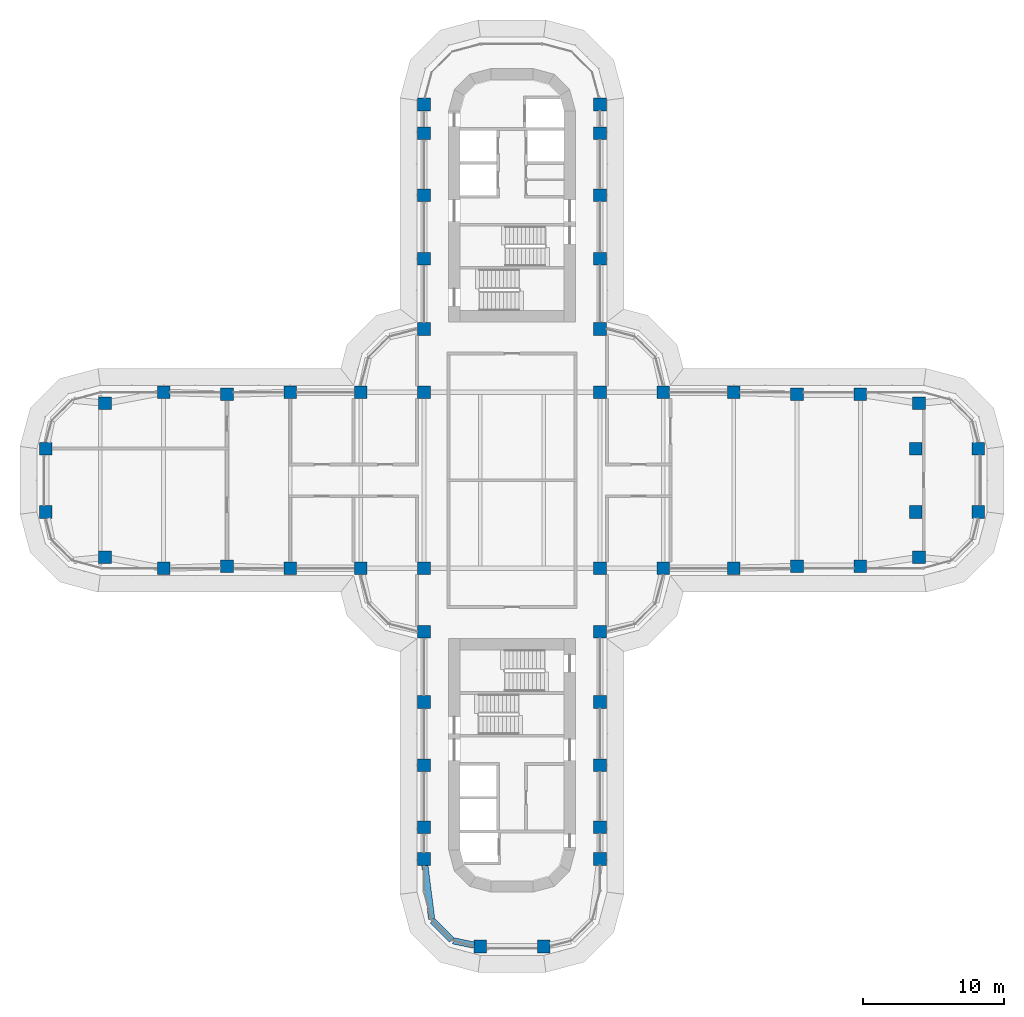
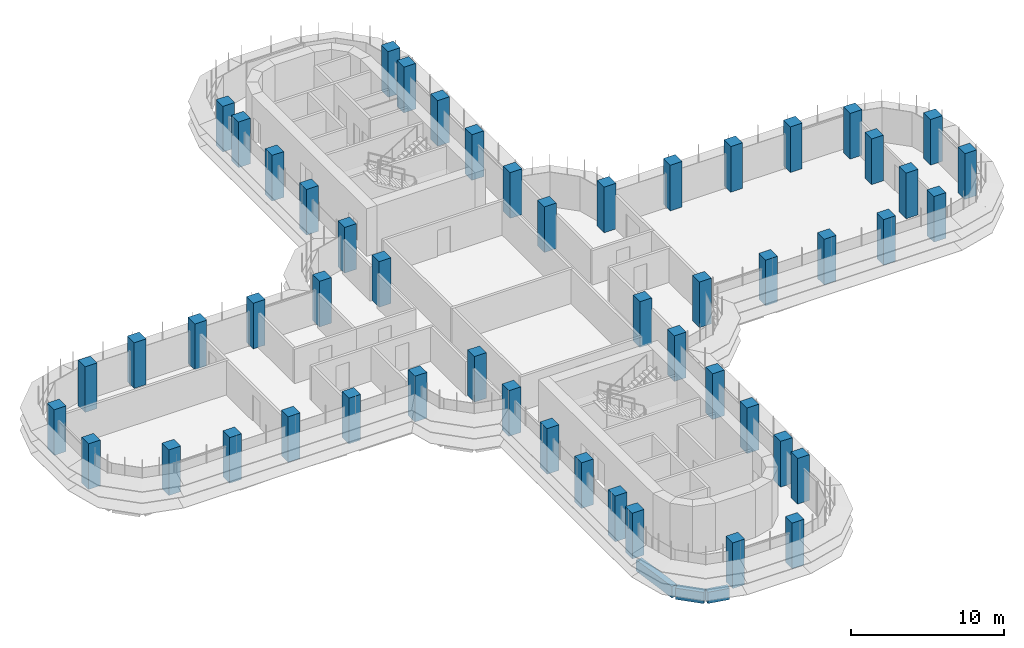
# One storey, part 1 of 21: 52 columns, 3 beams.
"""IFC4 building model written with IfcOpenShell, lengths in metres."""

from ifc_helpers import new_model, si_unit, direction, frame, origin, origin_2d, place, context, subcontext, project, spatial, rectangle, extrude, material, material_profile, profile_set, type_object, element, save


model = new_model("IFC4")

# Units and contexts
model_context = context("Model", 3, precision=1e-05, world=origin(), true_north=direction((0.0, 1.0)))
body_context = subcontext(model_context, "Body", "Model", "MODEL_VIEW")
ifc_project = project(units=[si_unit("LENGTHUNIT", "METRE"), si_unit("AREAUNIT", "SQUARE_METRE"), si_unit("VOLUMEUNIT", "CUBIC_METRE"), si_unit("PLANEANGLEUNIT", "RADIAN"), si_unit("MASSUNIT", "GRAM", prefix="KILO")], contexts=[model_context])

# Site, building, storey
site_placement = place(None, origin())
site = spatial("IfcSite", under=ifc_project, at=site_placement, CompositionType="ELEMENT")
building_placement = place(site_placement, origin())
building = spatial("IfcBuilding", under=site, at=building_placement, Name="Zarbagh Exchange Tower", CompositionType="ELEMENT")
storey_placement = place(building_placement, frame((0.0, 0.0, 117.0)))
storey = spatial("IfcBuildingStorey", under=building, at=storey_placement, Name="L27", CompositionType="ELEMENT", Elevation=117.0)

# Columns
ifc_material = material(Name="Concrete C60/75", Category="concrete")
ifc_material_profile_1 = material_profile(ifc_material, rectangle(XDim=0.89990234375, YDim=0.89990234375, at=origin_2d()), Name="RC column 900 x 900 C60/75")
ifc_profile_set_1 = profile_set([ifc_material_profile_1], Name="Concrete C60/75")
column_type = type_object("IfcColumnType", Name="RC column 900 x 900 C60/75", PredefinedType="COLUMN", material=ifc_profile_set_1)
for number, where, z_axis, x_axis, name in (
    (1, (-33.110107421875, -2.25, 0.0), (0.0, 0.0, 1.0), (1.0, 0.0, 0.0), "C3 10/S"),
    (2, (-33.110107421875, 2.25, 0.0), (0.0, 0.0, 1.0), (1.0, 0.0, 0.0), "C3 10/T"),
    (3, (-28.907958984375, -5.47509765625, 0.0), (0.0, 0.0, 1.0), (1.0, 0.0, 0.0), "C3 11/R"),
    (4, (-28.907958984375, 5.47509765625, 0.0), (0.0, 0.0, 1.0), (1.0, 0.0, 0.0), "C3 11/U"),
    (5, (-24.75, -6.25, 0.0), (0.0, 0.0, 1.0), (1.0, 0.0, 0.0), "C3 12/R"),
    (6, (-24.75, 6.25, 0.0), (0.0, 0.0, 1.0), (1.0, 0.0, 0.0), "C3 12/U"),
    (7, (-20.25, -6.110107421875, 0.0), (0.0, 0.0, 1.0), (1.0, 0.0, 0.0), "C3 13/R"),
    (8, (-20.25, 6.110107421875, 0.0), (0.0, 0.0, 1.0), (1.0, 0.0, 0.0), "C3 13/U"),
    (9, (-15.75, -6.25, 0.0), (0.0, 0.0, 1.0), (1.0, 0.0, 0.0), "C3 14/R"),
    (10, (-15.75, 6.25, 0.0), (0.0, 0.0, 1.0), (1.0, 0.0, 0.0), "C3 14/U"),
    (11, (-10.75, -6.25, 0.0), (0.0, 0.0, 1.0), (1.0, 0.0, 0.0), "C3 15/R"),
    (12, (-10.75, 6.25, 0.0), (0.0, 0.0, 1.0), (1.0, 0.0, 0.0), "C3 15/U"),
    (13, (-6.25, -26.89990234375, 0.0), (0.0, 0.0, 1.0), (1.0, 0.0, 0.0), "C3 16/L"),
    (14, (-6.25, -24.64990234375, 0.0), (0.0, 0.0, 1.0), (1.0, 0.0, 0.0), "C3 16/M"),
    (15, (-6.25, -20.25, 0.0), (0.0, 0.0, 1.0), (1.0, 0.0, 0.0), "C3 16/N"),
    (16, (-6.25, -15.75, 0.0), (0.0, 0.0, 1.0), (1.0, 0.0, 0.0), "C3 16/P"),
    (17, (-6.25, -10.75, 0.0), (0.0, 0.0, 1.0), (1.0, 0.0, 0.0), "C3 16/Q"),
    (18, (-6.25, -6.25, 0.0), (0.0, 0.0, 1.0), (1.0, 0.0, 0.0), "C3 16/R"),
    (19, (-6.25, 6.25, 0.0), (0.0, 0.0, 1.0), (1.0, 0.0, 0.0), "C3 16/U"),
    (20, (-6.25, 10.75, 0.0), (0.0, 0.0, 1.0), (1.0, 0.0, 0.0), "C3 16/V"),
    (21, (-6.25, 15.75, 0.0), (0.0, 0.0, 1.0), (1.0, 0.0, 0.0), "C3 16/W"),
    (22, (-6.25, 20.25, 0.0), (0.0, 0.0, 1.0), (1.0, 0.0, 0.0), "C3 16/X"),
    (23, (-6.25, 24.64990234375, 0.0), (0.0, 0.0, 1.0), (1.0, 0.0, 0.0), "C3 16/Y"),
    (24, (-6.25, 26.699951171875, 0.0), (0.0, 0.0, 1.0), (1.0, 0.0, 0.0), "C3 16/Z"),
    (25, (-2.25, -33.110107421875, 0.0), (0.0, 0.0, 1.0), (1.0, 0.0, 0.0), "C3 17/K"),
    (26, (2.25, -33.110107421875, 0.0), (0.0, 0.0, 1.0), (1.0, 0.0, 0.0), "C3 18/K"),
    (27, (6.25, -26.89990234375, 0.0), (0.0, 0.0, 1.0), (1.0, 0.0, 0.0), "C3 19/L"),
    (28, (6.25, -24.64990234375, 0.0), (0.0, 0.0, 1.0), (1.0, 0.0, 0.0), "C3 19/M"),
    (29, (6.25, -20.25, 0.0), (0.0, 0.0, 1.0), (1.0, 0.0, 0.0), "C3 19/N"),
    (30, (6.25, -15.75, 0.0), (0.0, 0.0, 1.0), (1.0, 0.0, 0.0), "C3 19/P"),
    (31, (6.25, -10.75, 0.0), (0.0, 0.0, 1.0), (1.0, 0.0, 0.0), "C3 19/Q"),
    (32, (6.25, -6.25, 0.0), (0.0, 0.0, 1.0), (1.0, 0.0, 0.0), "C3 19/R"),
    (33, (6.25, 6.25, 0.0), (0.0, 0.0, 1.0), (1.0, 0.0, 0.0), "C3 19/U"),
    (34, (6.25, 10.75, 0.0), (0.0, 0.0, 1.0), (1.0, 0.0, 0.0), "C3 19/V"),
    (35, (6.25, 15.75, 0.0), (0.0, 0.0, 1.0), (1.0, 0.0, 0.0), "C3 19/W"),
    (36, (6.25, 20.25, 0.0), (0.0, 0.0, 1.0), (1.0, 0.0, 0.0), "C3 19/X"),
    (37, (6.25, 24.64990234375, 0.0), (0.0, 0.0, 1.0), (1.0, 0.0, 0.0), "C3 19/Y"),
    (38, (6.25, 26.699951171875, 0.0), (0.0, 0.0, 1.0), (1.0, 0.0, 0.0), "C3 19/Z"),
    (39, (10.75, -6.25, 0.0), (0.0, 0.0, 1.0), (1.0, 0.0, 0.0), "C3 20/R"),
    (40, (10.75, 6.25, 0.0), (0.0, 0.0, 1.0), (1.0, 0.0, 0.0), "C3 20/U"),
    (41, (15.75, -6.25, 0.0), (0.0, 0.0, 1.0), (1.0, 0.0, 0.0), "C3 21/R"),
    (42, (15.75, 6.25, 0.0), (0.0, 0.0, 1.0), (1.0, 0.0, 0.0), "C3 21/U"),
    (43, (20.25, -6.110107421875, 0.0), (0.0, 0.0, 1.0), (1.0, 0.0, 0.0), "C3 22/R"),
    (44, (20.25, 6.110107421875, 0.0), (0.0, 0.0, 1.0), (1.0, 0.0, 0.0), "C3 22/U"),
    (45, (24.75, -6.110107421875, 0.0), (0.0, 0.0, 1.0), (1.0, 0.0, 0.0), "C3 23/R"),
    (46, (24.75, 6.110107421875, 0.0), (0.0, 0.0, 1.0), (1.0, 0.0, 0.0), "C3 23/U"),
    (47, (28.907958984375, -5.47509765625, 0.0), (0.0, 0.0, 1.0), (1.0, 0.0, 0.0), "C3 24/R"),
    (48, (28.669921875, -2.25, 0.0), (0.0, 0.0, 1.0), (1.0, 0.0, 0.0), "C3 24/S"),
    (49, (28.669921875, 2.25, 0.0), (0.0, 0.0, 1.0), (1.0, 0.0, 0.0), "C3 24/T"),
    (50, (28.907958984375, 5.47509765625, 0.0), (0.0, 0.0, 1.0), (1.0, 0.0, 0.0), "C3 24/U"),
    (51, (33.110107421875, -2.25, 0.0), (0.0, 0.0, 1.0), (1.0, 0.0, 0.0), "C3 25/S"),
    (52, (33.110107421875, 2.25, 0.0), (0.0, 0.0, 1.0), (1.0, 0.0, 0.0), "C3 25/T"),
):
    element("IfcColumn", number, at=place(storey_placement, frame(where, z_axis=z_axis, x_axis=x_axis)), inside=storey, type_object=column_type, Name=name, PredefinedType="COLUMN", context=body_context, shape_type="SweptSolid", body=[
        extrude(rectangle(XDim=0.89990234375, YDim=0.89990234375, at=origin_2d()), origin(), (0.0, 0.0, 1.0), 3.64990234375),
    ])

# Beams
ifc_material_profile_2 = material_profile(ifc_material, rectangle(XDim=0.449951171875, YDim=0.89990234375, at=origin_2d()), Name="RC spandrel beam 450 x 900 C60/75")
ifc_profile_set_2 = profile_set([ifc_material_profile_2], Name="Concrete C60/75")
beam_type = type_object("IfcBeamType", Name="RC spandrel beam 450 x 900 C60/75", PredefinedType="SPANDREL", material=ifc_profile_set_2)
beam_1_placement = place(storey_placement, frame((-2.690673828125, -33.01904296875, -0.60009765625), z_axis=(-0.979328675816, 0.202275417995, 0.0), x_axis=(-0.202275417995, -0.979328675816, 0.0)))
element("IfcBeam", 53, at=beam_1_placement, inside=storey, type_object=beam_type, Name="RC spandrel beam", PredefinedType="SPANDREL", context=body_context, shape_type="SweptSolid", body=[
    extrude(rectangle(XDim=0.449951171875, YDim=0.89990234375, at=origin_2d()), origin(), (0.0, 0.0, 1.0), 1.515869140625),
])
beam_2_placement = place(storey_placement, frame((-4.288818359375, -32.651123046875, -0.60009765625), z_axis=(-0.707106781187, 0.707106781187, 0.0), x_axis=(-0.707106781187, -0.707106781187, 0.0)))
element("IfcBeam", 54, at=beam_2_placement, inside=storey, type_object=beam_type, Name="RC spandrel beam", PredefinedType="SPANDREL", context=body_context, shape_type="SweptSolid", body=[
    extrude(rectangle(XDim=0.449951171875, YDim=0.89990234375, at=origin_2d()), origin(), (0.0, 0.0, 1.0), 1.9169921875),
])
beam_3_placement = place(storey_placement, frame((-5.70849609375, -31.164794921875, -0.60009765625), z_axis=(-0.12597055537, 0.992033980859, 0.0), x_axis=(-0.992033980859, -0.12597055537, 0.0)))
element("IfcBeam", 55, at=beam_3_placement, inside=storey, type_object=beam_type, Name="RC spandrel beam", PredefinedType="SPANDREL", context=body_context, shape_type="SweptSolid", body=[
    extrude(rectangle(XDim=0.449951171875, YDim=0.89990234375, at=origin_2d()), origin(), (0.0, 0.0, 1.0), 3.84912109375),
])

save(model, "model.ifc")
